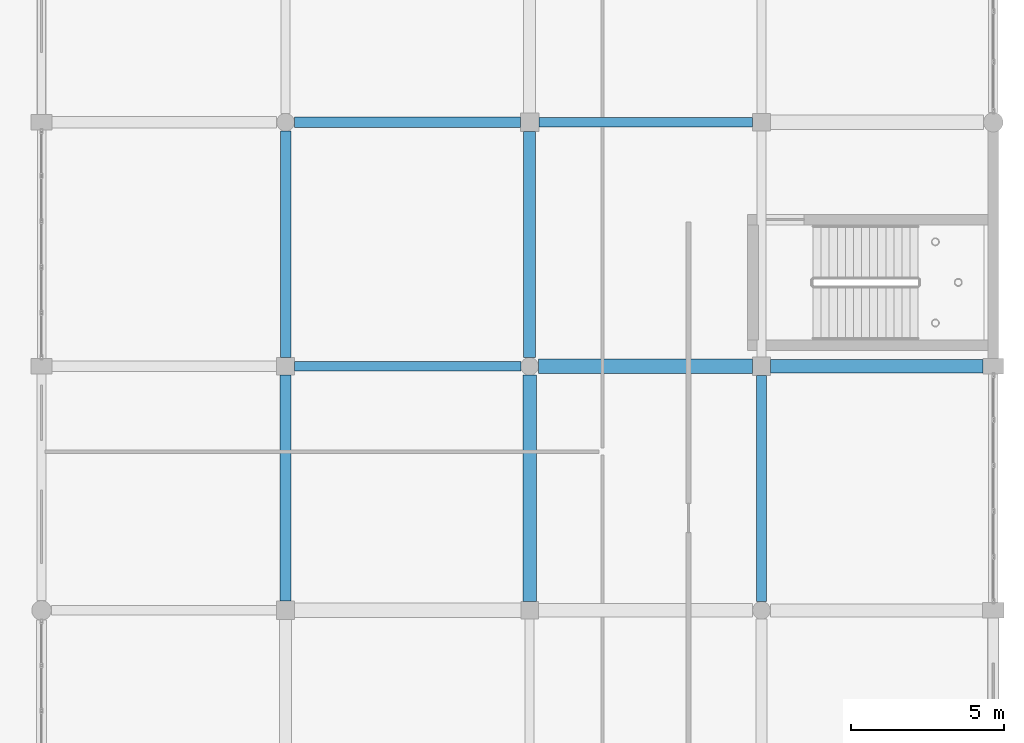
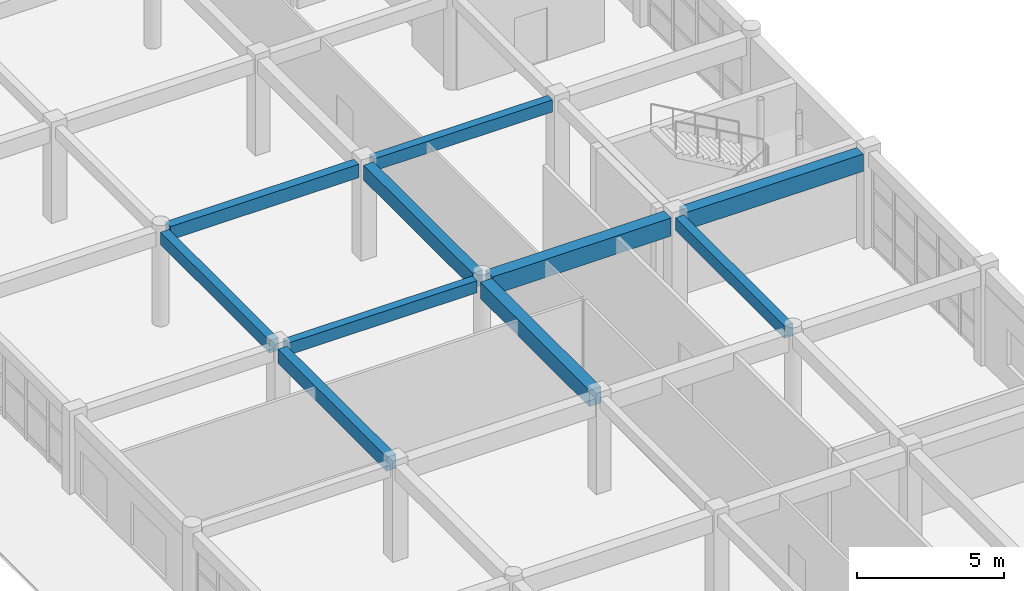
# One storey, part 78 of 121: 10 beams.
"""IFC4 building model written with IfcOpenShell, lengths in metres."""

from ifc_helpers import new_model, si_unit, direction, frame, origin, origin_2d, place, context, subcontext, project, spatial, rectangle, extrude, material, material_profile, profile_set, type_object, element, save


model = new_model("IFC4")

# Units and contexts
model_context = context("Model", 3, precision=1e-05, world=origin(), true_north=direction((0.0, 1.0)))
body_context = subcontext(model_context, "Body", "Model", "MODEL_VIEW")
ifc_project = project(units=[si_unit("LENGTHUNIT", "METRE"), si_unit("AREAUNIT", "SQUARE_METRE"), si_unit("VOLUMEUNIT", "CUBIC_METRE"), si_unit("PLANEANGLEUNIT", "RADIAN"), si_unit("MASSUNIT", "GRAM", prefix="KILO")], contexts=[model_context])

# Site, building, storey
site_placement = place(None, origin())
site = spatial("IfcSite", under=ifc_project, at=site_placement, CompositionType="ELEMENT")
building_placement = place(site_placement, origin())
building = spatial("IfcBuilding", under=site, at=building_placement, Name="Kharva Crest Polytechnic", CompositionType="ELEMENT")
storey_placement = place(building_placement, frame((0.0, 0.0, 13.199951171875)))
storey = spatial("IfcBuildingStorey", under=building, at=storey_placement, Name="L03", CompositionType="ELEMENT", Elevation=13.199951171875)

# Beams
ifc_material = material(Name="Concrete C35/45", Category="concrete")
ifc_material_profile_1 = material_profile(ifc_material, rectangle(XDim=0.320068359375, YDim=0.5, at=origin_2d()), Name="RECT 320 X 500")
ifc_profile_set_1 = profile_set([ifc_material_profile_1], Name="Concrete C35/45")
beam_type_1 = type_object("IfcBeamType", Name="BM-RC-320X500", PredefinedType="BEAM", material=ifc_profile_set_1)
beam_1_placement = place(storey_placement, frame((161.090087890625, 70.800048828125, 3.7099609375), z_axis=(1.0, 0.0, 0.0), x_axis=(0.0, 1.0, 0.0)))
element("IfcBeam", 1, at=beam_1_placement, inside=storey, type_object=beam_type_1, Name="L03 Beam K/21-22", PredefinedType="BEAM", context=body_context, shape_type="SweptSolid", body=[
    extrude(rectangle(XDim=0.320068359375, YDim=0.5, at=origin_2d()), origin(), (0.0, 0.0, 1.0), 7.419921875),
])
beam_2_placement = place(storey_placement, frame((169.10009765625, 78.800048828125, 3.7099609375), z_axis=(1.0, 0.0, 0.0), x_axis=(0.0, 1.0, 0.0)))
element("IfcBeam", 2, at=beam_2_placement, inside=storey, type_object=beam_type_1, Name="L03 Beam L/22-23", PredefinedType="BEAM", context=body_context, shape_type="SweptSolid", body=[
    extrude(rectangle(XDim=0.320068359375, YDim=0.5, at=origin_2d()), origin(), (0.0, 0.0, 1.0), 7.010009765625),
])
ifc_material_profile_2 = material_profile(ifc_material, rectangle(XDim=0.340087890625, YDim=0.52001953125, at=origin_2d()), Name="RECT 340 X 520")
ifc_profile_set_2 = profile_set([ifc_material_profile_2], Name="Concrete C35/45")
beam_type_2 = type_object("IfcBeamType", Name="BM-RC-340X520", PredefinedType="BEAM", material=ifc_profile_set_2)
beam_3_placement = place(storey_placement, frame((160.800048828125, 71.090087890625, 3.699951171875), z_axis=(0.0, 1.0, 0.0), x_axis=(-1.0, 0.0, 0.0)))
element("IfcBeam", 3, at=beam_3_placement, inside=storey, type_object=beam_type_2, Name="L03 Girder 21/K-L", PredefinedType="BEAM", context=body_context, shape_type="SweptSolid", body=[
    extrude(rectangle(XDim=0.340087890625, YDim=0.52001953125, at=origin_2d()), origin(), (0.0, 0.0, 1.0), 7.419921875),
])
beam_4_placement = place(storey_placement, frame((176.39990234375, 63.090087890625, 3.699951171875), z_axis=(0.0, 1.0, 0.0), x_axis=(-1.0, 0.0, 0.0)))
element("IfcBeam", 4, at=beam_4_placement, inside=storey, type_object=beam_type_2, Name="L03 Girder 23/J-K", PredefinedType="BEAM", context=body_context, shape_type="SweptSolid", body=[
    extrude(rectangle(XDim=0.340087890625, YDim=0.52001953125, at=origin_2d()), origin(), (0.0, 0.0, 1.0), 7.409912109375),
])
ifc_material_profile_3 = material_profile(ifc_material, rectangle(XDim=0.35009765625, YDim=0.550048828125, at=origin_2d()), Name="RECT 350 X 550")
ifc_profile_set_3 = profile_set([ifc_material_profile_3], Name="Concrete C35/45")
beam_type_3 = type_object("IfcBeamType", Name="BM-RC-350X550", PredefinedType="BEAM", material=ifc_profile_set_3)
beam_5_placement = place(storey_placement, frame((161.090087890625, 78.800048828125, 3.68505859375), z_axis=(1.0, 0.0, 0.0), x_axis=(0.0, 1.0, 0.0)))
element("IfcBeam", 5, at=beam_5_placement, inside=storey, type_object=beam_type_3, Name="L03 Beam L/21-22", PredefinedType="BEAM", context=body_context, shape_type="SweptSolid", body=[
    extrude(rectangle(XDim=0.35009765625, YDim=0.550048828125, at=origin_2d()), origin(), (0.0, 0.0, 1.0), 7.409912109375),
])
ifc_material_profile_4 = material_profile(ifc_material, rectangle(XDim=0.360107421875, YDim=0.580078125, at=origin_2d()), Name="RECT 360 X 580")
ifc_profile_set_4 = profile_set([ifc_material_profile_4], Name="Concrete C35/45")
beam_type_4 = type_object("IfcBeamType", Name="BM-RC-360X580", PredefinedType="BEAM", material=ifc_profile_set_4)
beam_6_placement = place(storey_placement, frame((160.800048828125, 63.10009765625, 3.670166015625), z_axis=(0.0, 1.0, 0.0), x_axis=(-1.0, 0.0, 0.0)))
element("IfcBeam", 6, at=beam_6_placement, inside=storey, type_object=beam_type_4, Name="L03 Girder 21/J-K", PredefinedType="BEAM", context=body_context, shape_type="SweptSolid", body=[
    extrude(rectangle(XDim=0.360107421875, YDim=0.580078125, at=origin_2d()), origin(), (0.0, 0.0, 1.0), 7.409912109375),
])
ifc_material_profile_5 = material_profile(ifc_material, rectangle(XDim=0.39990234375, YDim=0.6201171875, at=origin_2d()), Name="RECT 400 X 620")
ifc_profile_set_5 = profile_set([ifc_material_profile_5], Name="Concrete C35/45")
beam_type_5 = type_object("IfcBeamType", Name="BM-RC-400X620", PredefinedType="BEAM", material=ifc_profile_set_5)
beam_7_placement = place(storey_placement, frame((168.800048828125, 71.090087890625, 3.650146484375), z_axis=(0.0, 1.0, 0.0), x_axis=(-1.0, 0.0, 0.0)))
element("IfcBeam", 7, at=beam_7_placement, inside=storey, type_object=beam_type_5, Name="L03 Girder 22/K-L", PredefinedType="BEAM", context=body_context, shape_type="SweptSolid", body=[
    extrude(rectangle(XDim=0.39990234375, YDim=0.6201171875, at=origin_2d()), origin(), (0.0, 0.0, 1.0), 7.409912109375),
])
ifc_material_profile_6 = material_profile(ifc_material, rectangle(XDim=0.449951171875, YDim=0.679931640625, at=origin_2d()), Name="RECT 450 X 680")
ifc_profile_set_6 = profile_set([ifc_material_profile_6], Name="Concrete C35/45")
beam_type_6 = type_object("IfcBeamType", Name="BM-RC-450X680", PredefinedType="BEAM", material=ifc_profile_set_6)
beam_8_placement = place(storey_placement, frame((168.800048828125, 63.090087890625, 3.6201171875), z_axis=(0.0, 1.0, 0.0), x_axis=(-1.0, 0.0, 0.0)))
element("IfcBeam", 8, at=beam_8_placement, inside=storey, type_object=beam_type_6, Name="L03 Girder 22/J-K", PredefinedType="BEAM", context=body_context, shape_type="SweptSolid", body=[
    extrude(rectangle(XDim=0.449951171875, YDim=0.679931640625, at=origin_2d()), origin(), (0.0, 0.0, 1.0), 7.419921875),
])
ifc_material_profile_7 = material_profile(ifc_material, rectangle(XDim=0.449951171875, YDim=0.719970703125, at=origin_2d()), Name="RECT 450 X 720")
ifc_profile_set_7 = profile_set([ifc_material_profile_7], Name="Concrete C35/45")
beam_type_7 = type_object("IfcBeamType", Name="BM-RC-450X720", PredefinedType="BEAM", material=ifc_profile_set_7)
beam_9_placement = place(storey_placement, frame((176.699951171875, 70.800048828125, 3.60009765625), z_axis=(1.0, 0.0, 0.0), x_axis=(0.0, 1.0, 0.0)))
element("IfcBeam", 9, at=beam_9_placement, inside=storey, type_object=beam_type_7, Name="L03 Beam K/23-24", PredefinedType="BEAM", context=body_context, shape_type="SweptSolid", body=[
    extrude(rectangle(XDim=0.449951171875, YDim=0.719970703125, at=origin_2d()), origin(), (0.0, 0.0, 1.0), 6.9599609375),
])
ifc_material_profile_8 = material_profile(ifc_material, rectangle(XDim=0.47998046875, YDim=0.75, at=origin_2d()), Name="RECT 480 X 750")
ifc_profile_set_8 = profile_set([ifc_material_profile_8], Name="Concrete C35/45")
beam_type_8 = type_object("IfcBeamType", Name="BM-RC-480X750", PredefinedType="BEAM", material=ifc_profile_set_8)
beam_10_placement = place(storey_placement, frame((169.090087890625, 70.800048828125, 3.5849609375), z_axis=(1.0, 0.0, 0.0), x_axis=(0.0, 1.0, 0.0)))
element("IfcBeam", 10, at=beam_10_placement, inside=storey, type_object=beam_type_8, Name="L03 Beam K/22-23", PredefinedType="BEAM", context=body_context, shape_type="SweptSolid", body=[
    extrude(rectangle(XDim=0.47998046875, YDim=0.75, at=origin_2d()), origin(), (0.0, 0.0, 1.0), 7.010009765625),
])

save(model, "model.ifc")
